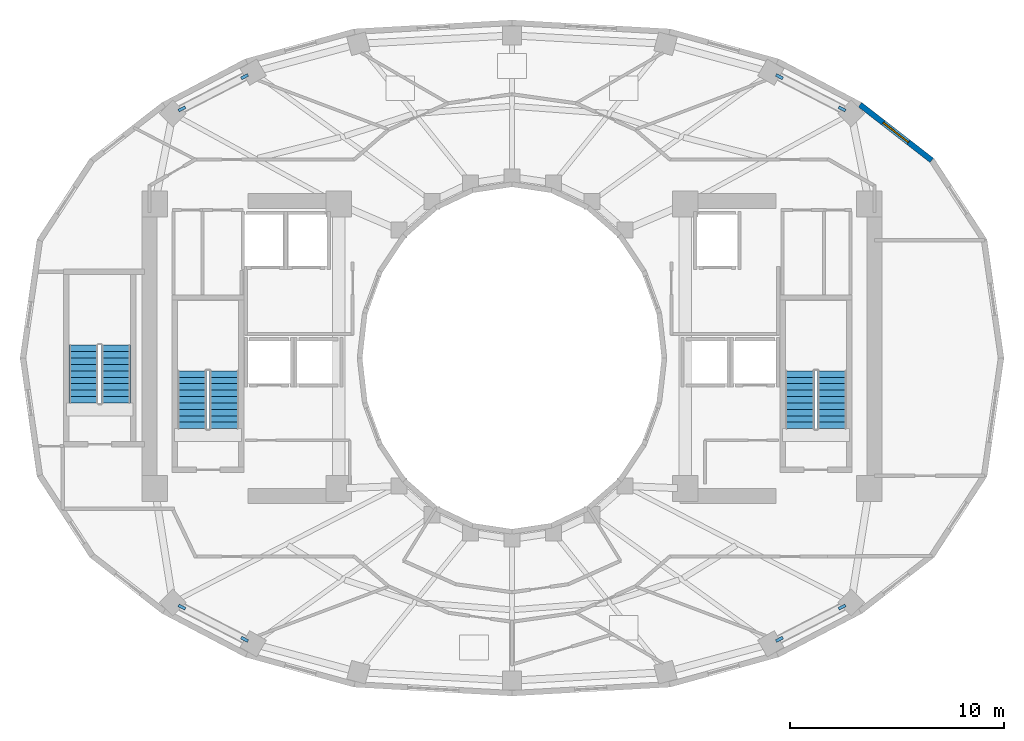
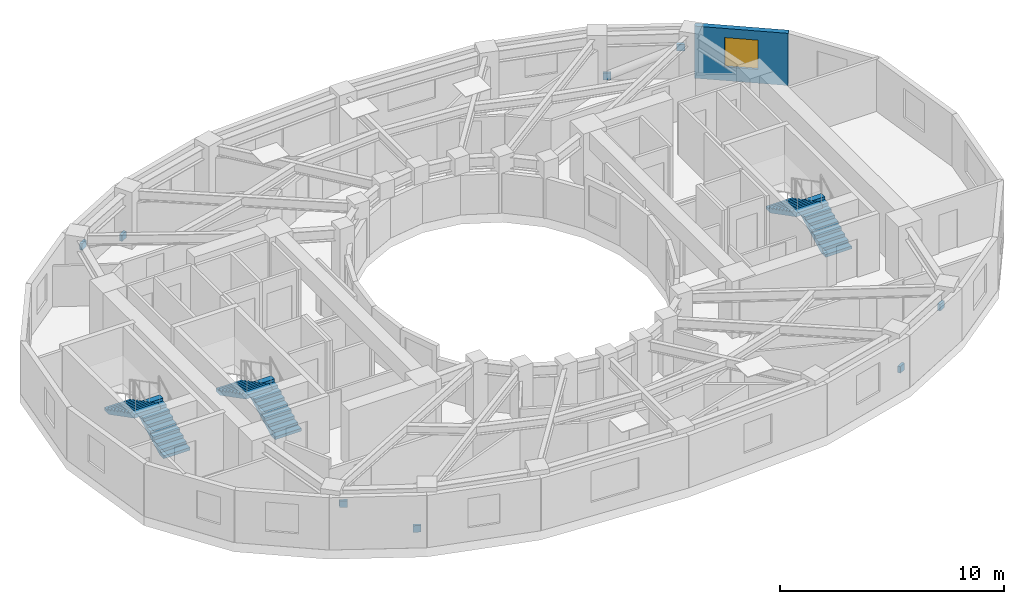
# One storey, part 7 of 9: 8 discrete accessories, 6 stair flights, 1 wall, 1 window, 1 opening, 3 elements without a shape of their own.
"""IFC4 building model written with IfcOpenShell, lengths in metres."""

from ifc_helpers import new_model, si_unit, direction, frame, frame_2d, origin, origin_2d, place, context, subcontext, project, spatial, polyline, rectangle, outline, extrude, material, layer, layer_set, type_object, element, fill, aggregate, save


model = new_model("IFC4")

# Units and contexts
model_context = context("Model", 3, precision=1e-05, world=origin(), true_north=direction((0.0, 1.0)))
body_context = subcontext(model_context, "Body", "Model", "MODEL_VIEW")
ifc_project = project(units=[si_unit("LENGTHUNIT", "METRE"), si_unit("AREAUNIT", "SQUARE_METRE"), si_unit("VOLUMEUNIT", "CUBIC_METRE"), si_unit("PLANEANGLEUNIT", "RADIAN"), si_unit("MASSUNIT", "GRAM", prefix="KILO")], contexts=[model_context])

# Site, building, storey
site_placement = place(None, origin())
site = spatial("IfcSite", under=ifc_project, at=site_placement, CompositionType="ELEMENT")
building_placement = place(site_placement, origin())
building = spatial("IfcBuilding", under=site, at=building_placement, Name="Solvane Sanctuary Tower", CompositionType="ELEMENT")
storey_placement = place(building_placement, frame((0.0, 0.0, 162.199951171875)))
storey = spatial("IfcBuildingStorey", under=building, at=storey_placement, Name="L49", CompositionType="ELEMENT", Elevation=162.199951171875)

# Wall, opening, window
ifc_material_1 = material(Name="Precast concrete C40/50", Category="concrete")
ifc_layer_1 = layer(ifc_material_1, 0.260009765625, Name="Precast concrete C40/50")
ifc_layer_set_1 = layer_set([ifc_layer_1], Name="Precast concrete C40/50")
wall_type = type_object("IfcWallType", Name="Wall W-EXT-250", PredefinedType="STANDARD", material=ifc_layer_set_1)
wall_placement = place(storey_placement, frame((51.619140625, 32.243408203125, 0.0), z_axis=(0.0, 0.0, 1.0), x_axis=(-0.790185650662, 0.612867552973, 0.0)))
wall = element("IfcWall", 1, at=wall_placement, inside=storey, type_object=wall_type, Name="L49 Ceramic-Printed Facade Wall 02", PredefinedType="STANDARD", context=body_context, shape_type="SweptSolid", body=[
    extrude(rectangle(XDim=4.2392578125, YDim=0.260009765625, at=frame_2d((2.11962890625, 0.0))), origin(), (0.0, 0.0, 1.0), 2.85009765625),
])
opening_placement = place(wall_placement, frame((1.36962890625, 0.0, 0.75)))
opening = element("IfcOpeningElement", 2, at=opening_placement, cuts=wall, Name="Opening WN-OPER-1500", PredefinedType="OPENING", context=body_context, shape_type="SweptSolid", body=[
    extrude(rectangle(XDim=1.5, YDim=1.60009765625, at=frame_2d((0.75, 0.800048828125))), frame((0.0, 0.139892578125, 0.0), z_axis=(0.0, -1.0, 0.0), x_axis=(1.0, 0.0, 0.0)), (0.0, 0.0, 1.0), 0.280029296875),
])
ifc_material_2 = material(Name="Dark Ceramic-Fritted Low-E Glass", Category="glass")
window_type = type_object("IfcWindowType", Name="Window WN-OPER-1500", PartitioningType="SINGLE_PANEL", PredefinedType="WINDOW", material=ifc_material_2)
window_placement = place(opening_placement, origin())
window = element("IfcWindow", 3, at=window_placement, inside=storey, type_object=window_type, Name="L49 Operable Facade Window 02", OverallHeight=1.60009765625, OverallWidth=1.5, PartitioningType="SINGLE_PANEL", PredefinedType="WINDOW", context=body_context, shape_type="SweptSolid", body=[
    extrude(rectangle(XDim=1.5, YDim=1.60009765625, at=frame_2d((0.75, 0.800048828125))), frame((0.0, 0.030029296875, 0.0), z_axis=(0.0, -1.0, 0.0), x_axis=(1.0, 0.0, 0.0)), (0.0, 0.0, 1.0), 0.06005859375),
])
fill(opening, window)

# Stair, stair flights
ifc_material_3 = material(Name="Concrete C45/55", Category="concrete")
stair_type = type_object("IfcStairType", Name="Stair ST-TOW", PredefinedType="HALF_TURN_STAIR", material=ifc_material_3)
stair_1_placement = place(storey_placement, origin())
stair_1 = element("IfcStair", 4, at=stair_1_placement, inside=storey, type_object=stair_type, Name="L49 Exit Stair ST-1 West Core", PredefinedType="HALF_TURN_STAIR")
stair_flight_type = type_object("IfcStairFlightType", Name="StairFlight SF-TOW", PredefinedType="STRAIGHT", material=ifc_material_3)
stair_flight_1_placement = place(storey_placement, frame((18.544921875, 19.699951171875, 0.0), z_axis=(0.0, 0.0, 1.0), x_axis=(0.0, 1.0, 0.0)))
stair_flight_1 = element("IfcStairFlight", 5, at=stair_flight_1_placement, type_object=stair_flight_type, Name="ST-1 flight 1", NumberOfRisers=10, NumberOfTreads=9, PredefinedType="STRAIGHT", RiserHeight=0.155, TreadLength=0.3, context=body_context, shape_type="SweptSolid", body=[
    extrude(outline(polyline([(0.0, 0.0), (0.0, 0.155029296875), (0.300048828125, 0.155029296875), (0.300048828125, 0.31005859375), (0.60009765625, 0.31005859375), (0.60009765625, 0.465087890625), (0.89990234375, 0.465087890625), (0.89990234375, 0.6201171875), (1.199951171875, 0.6201171875), (1.199951171875, 0.77490234375), (1.5, 0.77490234375), (1.5, 0.929931640625), (1.800048828125, 0.929931640625), (1.800048828125, 1.0849609375), (2.10009765625, 1.0849609375), (2.10009765625, 1.239990234375), (2.39990234375, 1.239990234375), (2.39990234375, 1.39501953125), (2.699951171875, 1.39501953125), (2.699951171875, 1.550048828125), (2.699951171875, 1.1923828125), (0.39208984375, 0.0), (0.0, 0.0)])), frame((0.0, 0.675048828125, 0.0), z_axis=(0.0, -1.0, 0.0), x_axis=(1.0, 0.0, 0.0)), (0.0, 0.0, 1.0), 1.35009765625),
])
stair_flight_2_placement = place(storey_placement, frame((17.034912109375, 22.39990234375, 1.550048828125), z_axis=(0.0, 0.0, 1.0), x_axis=(0.0, -1.0, 0.0)))
stair_flight_2 = element("IfcStairFlight", 6, at=stair_flight_2_placement, type_object=stair_flight_type, Name="ST-1 flight 2", NumberOfRisers=10, NumberOfTreads=9, PredefinedType="STRAIGHT", RiserHeight=0.155, TreadLength=0.3, context=body_context, shape_type="SweptSolid", body=[
    extrude(outline(polyline([(0.0, 0.0), (0.0, 0.155029296875), (0.300048828125, 0.155029296875), (0.300048828125, 0.31005859375), (0.60009765625, 0.31005859375), (0.60009765625, 0.465087890625), (0.89990234375, 0.465087890625), (0.89990234375, 0.6201171875), (1.199951171875, 0.6201171875), (1.199951171875, 0.77490234375), (1.5, 0.77490234375), (1.5, 0.929931640625), (1.800048828125, 0.929931640625), (1.800048828125, 1.0849609375), (2.10009765625, 1.0849609375), (2.10009765625, 1.239990234375), (2.39990234375, 1.239990234375), (2.39990234375, 1.39501953125), (2.699951171875, 1.39501953125), (2.699951171875, 1.550048828125), (2.699951171875, 1.1923828125), (0.39208984375, 0.0), (0.0, 0.0)])), frame((0.0, 0.675048828125, 0.0), z_axis=(0.0, -1.0, 0.0), x_axis=(1.0, 0.0, 0.0)), (0.0, 0.0, 1.0), 1.35009765625),
])
aggregate(stair_1, [stair_flight_1, stair_flight_2])

stair_2_placement = place(storey_placement, origin())
stair_2 = element("IfcStair", 7, at=stair_2_placement, inside=storey, type_object=stair_type, Name="L49 Exit Stair ST-2 East Core", PredefinedType="HALF_TURN_STAIR")
stair_flight_3_placement = place(storey_placement, frame((46.965087890625, 19.699951171875, 0.0), z_axis=(0.0, 0.0, 1.0), x_axis=(0.0, 1.0, 0.0)))
stair_flight_3 = element("IfcStairFlight", 8, at=stair_flight_3_placement, type_object=stair_flight_type, Name="ST-2 flight 1", NumberOfRisers=10, NumberOfTreads=9, PredefinedType="STRAIGHT", RiserHeight=0.155, TreadLength=0.3, context=body_context, shape_type="SweptSolid", body=[
    extrude(outline(polyline([(0.0, 0.0), (0.0, 0.155029296875), (0.300048828125, 0.155029296875), (0.300048828125, 0.31005859375), (0.60009765625, 0.31005859375), (0.60009765625, 0.465087890625), (0.89990234375, 0.465087890625), (0.89990234375, 0.6201171875), (1.199951171875, 0.6201171875), (1.199951171875, 0.77490234375), (1.5, 0.77490234375), (1.5, 0.929931640625), (1.800048828125, 0.929931640625), (1.800048828125, 1.0849609375), (2.10009765625, 1.0849609375), (2.10009765625, 1.239990234375), (2.39990234375, 1.239990234375), (2.39990234375, 1.39501953125), (2.699951171875, 1.39501953125), (2.699951171875, 1.550048828125), (2.699951171875, 1.1923828125), (0.39208984375, 0.0), (0.0, 0.0)])), frame((0.0, 0.675048828125, 0.0), z_axis=(0.0, -1.0, 0.0), x_axis=(1.0, 0.0, 0.0)), (0.0, 0.0, 1.0), 1.35009765625),
])
stair_flight_4_placement = place(storey_placement, frame((45.455078125, 22.39990234375, 1.550048828125), z_axis=(0.0, 0.0, 1.0), x_axis=(0.0, -1.0, 0.0)))
stair_flight_4 = element("IfcStairFlight", 9, at=stair_flight_4_placement, type_object=stair_flight_type, Name="ST-2 flight 2", NumberOfRisers=10, NumberOfTreads=9, PredefinedType="STRAIGHT", RiserHeight=0.155, TreadLength=0.3, context=body_context, shape_type="SweptSolid", body=[
    extrude(outline(polyline([(0.0, 0.0), (0.0, 0.155029296875), (0.300048828125, 0.155029296875), (0.300048828125, 0.31005859375), (0.60009765625, 0.31005859375), (0.60009765625, 0.465087890625), (0.89990234375, 0.465087890625), (0.89990234375, 0.6201171875), (1.199951171875, 0.6201171875), (1.199951171875, 0.77490234375), (1.5, 0.77490234375), (1.5, 0.929931640625), (1.800048828125, 0.929931640625), (1.800048828125, 1.0849609375), (2.10009765625, 1.0849609375), (2.10009765625, 1.239990234375), (2.39990234375, 1.239990234375), (2.39990234375, 1.39501953125), (2.699951171875, 1.39501953125), (2.699951171875, 1.550048828125), (2.699951171875, 1.1923828125), (0.39208984375, 0.0), (0.0, 0.0)])), frame((0.0, 0.675048828125, 0.0), z_axis=(0.0, -1.0, 0.0), x_axis=(1.0, 0.0, 0.0)), (0.0, 0.0, 1.0), 1.35009765625),
])
aggregate(stair_2, [stair_flight_3, stair_flight_4])

stair_3_placement = place(storey_placement, origin())
stair_3 = element("IfcStair", 10, at=stair_3_placement, inside=storey, type_object=stair_type, Name="L49 Exit Stair ST-3 Pilgrim Tower Stair", PredefinedType="HALF_TURN_STAIR")
stair_flight_5_placement = place(storey_placement, frame((13.485107421875, 20.89990234375, 0.0), z_axis=(0.0, 0.0, 1.0), x_axis=(0.0, 1.0, 0.0)))
stair_flight_5 = element("IfcStairFlight", 11, at=stair_flight_5_placement, type_object=stair_flight_type, Name="ST-3 flight 1", NumberOfRisers=10, NumberOfTreads=9, PredefinedType="STRAIGHT", RiserHeight=0.155, TreadLength=0.3, context=body_context, shape_type="SweptSolid", body=[
    extrude(outline(polyline([(0.0, 0.0), (0.0, 0.155029296875), (0.300048828125, 0.155029296875), (0.300048828125, 0.31005859375), (0.60009765625, 0.31005859375), (0.60009765625, 0.465087890625), (0.89990234375, 0.465087890625), (0.89990234375, 0.6201171875), (1.199951171875, 0.6201171875), (1.199951171875, 0.77490234375), (1.5, 0.77490234375), (1.5, 0.929931640625), (1.800048828125, 0.929931640625), (1.800048828125, 1.0849609375), (2.10009765625, 1.0849609375), (2.10009765625, 1.239990234375), (2.39990234375, 1.239990234375), (2.39990234375, 1.39501953125), (2.699951171875, 1.39501953125), (2.699951171875, 1.550048828125), (2.699951171875, 1.1923828125), (0.39208984375, 0.0), (0.0, 0.0)])), frame((0.0, 0.675048828125, 0.0), z_axis=(0.0, -1.0, 0.0), x_axis=(1.0, 0.0, 0.0)), (0.0, 0.0, 1.0), 1.35009765625),
])
stair_flight_6_placement = place(storey_placement, frame((11.97509765625, 23.60009765625, 1.550048828125), z_axis=(0.0, 0.0, 1.0), x_axis=(0.0, -1.0, 0.0)))
stair_flight_6 = element("IfcStairFlight", 12, at=stair_flight_6_placement, type_object=stair_flight_type, Name="ST-3 flight 2", NumberOfRisers=10, NumberOfTreads=9, PredefinedType="STRAIGHT", RiserHeight=0.155, TreadLength=0.3, context=body_context, shape_type="SweptSolid", body=[
    extrude(outline(polyline([(0.0, 0.0), (0.0, 0.155029296875), (0.300048828125, 0.155029296875), (0.300048828125, 0.31005859375), (0.60009765625, 0.31005859375), (0.60009765625, 0.465087890625), (0.89990234375, 0.465087890625), (0.89990234375, 0.6201171875), (1.199951171875, 0.6201171875), (1.199951171875, 0.77490234375), (1.5, 0.77490234375), (1.5, 0.929931640625), (1.800048828125, 0.929931640625), (1.800048828125, 1.0849609375), (2.10009765625, 1.0849609375), (2.10009765625, 1.239990234375), (2.39990234375, 1.239990234375), (2.39990234375, 1.39501953125), (2.699951171875, 1.39501953125), (2.699951171875, 1.550048828125), (2.699951171875, 1.1923828125), (0.39208984375, 0.0), (0.0, 0.0)])), frame((0.0, 0.675048828125, 0.0), z_axis=(0.0, -1.0, 0.0), x_axis=(1.0, 0.0, 0.0)), (0.0, 0.0, 1.0), 1.35009765625),
])
aggregate(stair_3, [stair_flight_5, stair_flight_6])

# Discrete accessories
ifc_material_4 = material(Name="Steel ASTM A572 Grade 50", Category="steel")
ifc_layer_2 = layer(ifc_material_4, 0.360107421875, Name="Steel ASTM A572 Grade 50")
ifc_layer_set_2 = layer_set([ifc_layer_2], Name="Steel ASTM A572 Grade 50")
discrete_accessory_type = type_object("IfcDiscreteAccessoryType", Name="Accessory ACC-GUSSET-BRK", PredefinedType="BRACKET", material=ifc_layer_set_2)
for number, where, z_axis, x_axis, name in (
    (13, (44.502685546875, 36.151123046875, 0.4013671875), (0.0, 0.0, 1.0), (0.889256761832, -0.457408364087, 0.0), "L49 Perimeter Braced-Tube Diagonal NE End Gusset Bracket A"),
    (14, (47.432373046875, 34.64453125, 1.85888671875), (0.0, 0.0, 1.0), (0.889256761832, -0.457408364087, 0.0), "L49 Perimeter Braced-Tube Diagonal NE End Gusset Bracket B"),
    (15, (19.497314453125, 36.151123046875, 0.4013671875), (0.0, 0.0, 1.0), (-0.889256761832, -0.457408364087, 0.0), "L49 Perimeter Braced-Tube Diagonal NW End Gusset Bracket A"),
    (16, (16.567626953125, 34.64453125, 1.85888671875), (0.0, 0.0, 1.0), (-0.889256761832, -0.457408364087, 0.0), "L49 Perimeter Braced-Tube Diagonal NW End Gusset Bracket B"),
    (17, (19.497314453125, 9.848876953125, 0.4013671875), (0.0, 0.0, 1.0), (-0.889256761832, 0.457408364087, 0.0), "L49 Perimeter Braced-Tube Diagonal SW End Gusset Bracket A"),
    (18, (16.567626953125, 11.35546875, 1.85888671875), (0.0, 0.0, 1.0), (-0.889256761832, 0.457408364087, 0.0), "L49 Perimeter Braced-Tube Diagonal SW End Gusset Bracket B"),
    (19, (44.502685546875, 9.848876953125, 0.4013671875), (0.0, 0.0, 1.0), (0.889256761832, 0.457408364087, 0.0), "L49 Perimeter Braced-Tube Diagonal SE End Gusset Bracket A"),
    (20, (47.432373046875, 11.35546875, 1.85888671875), (0.0, 0.0, 1.0), (0.889256761832, 0.457408364087, 0.0), "L49 Perimeter Braced-Tube Diagonal SE End Gusset Bracket B"),
):
    element("IfcDiscreteAccessory", number, at=place(storey_placement, frame(where, z_axis=z_axis, x_axis=x_axis)), inside=storey, type_object=discrete_accessory_type, Name=name, PredefinedType="BRACKET", context=body_context, shape_type="SweptSolid", body=[
        extrude(rectangle(XDim=0.360107421875, YDim=0.139892578125, at=origin_2d()), origin(), (0.0, 0.0, 1.0), 0.360107421875),
    ])

save(model, "model.ifc")
